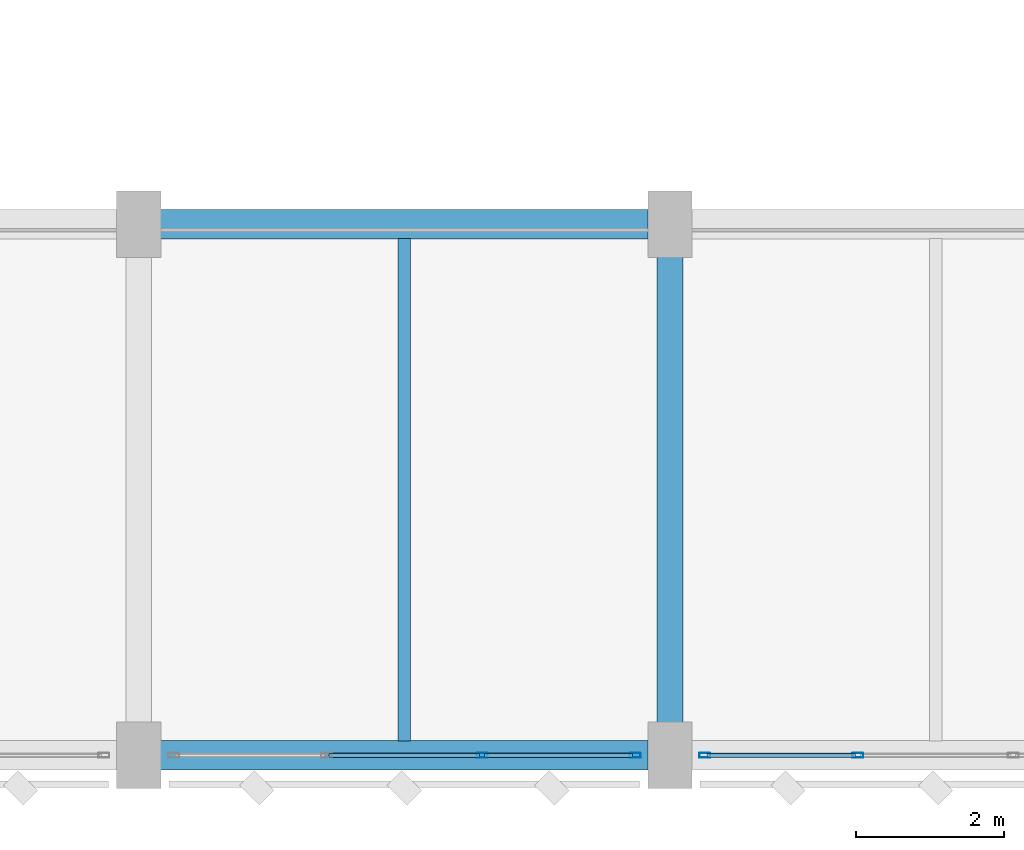
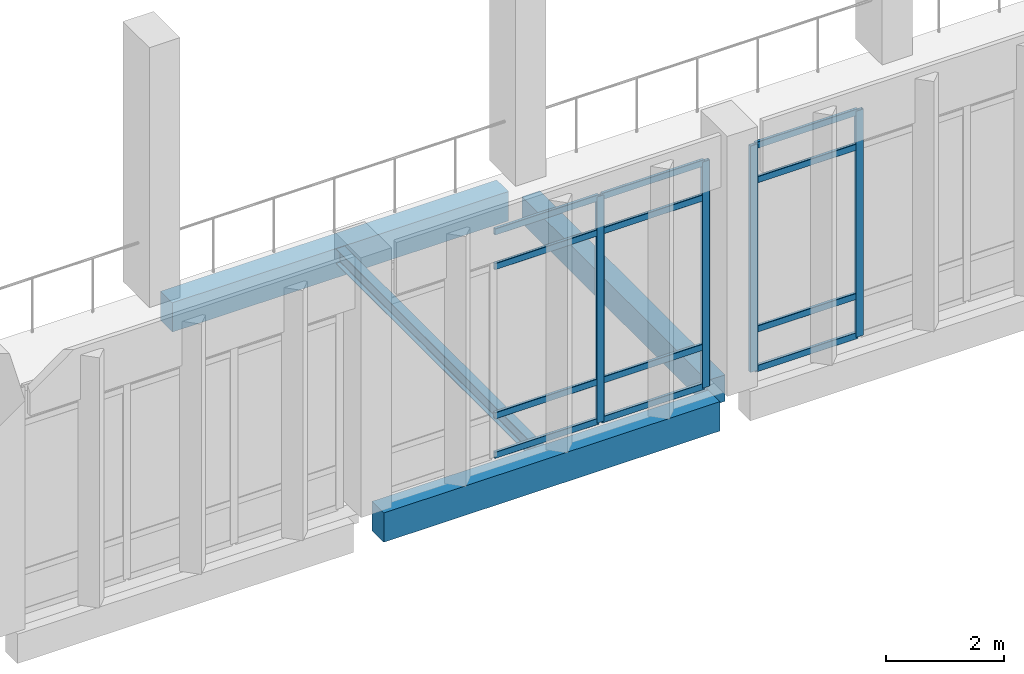
# One storey, part 98 of 180: 16 members, 4 beams, 2 elements without a shape of their own.
"""IFC4 building model written with IfcOpenShell, lengths in metres."""

from ifc_helpers import new_model, si_unit, direction, frame, origin, origin_2d, place, context, subcontext, project, spatial, rectangle, hollow_rectangle, i_section, extrude, material, material_profile, profile_set, type_object, element, aggregate, save


model = new_model("IFC4")

# Units and contexts
model_context = context("Model", 3, precision=1e-05, world=origin(), true_north=direction((0.0, 1.0)))
body_context = subcontext(model_context, "Body", "Model", "MODEL_VIEW")
ifc_project = project(units=[si_unit("LENGTHUNIT", "METRE"), si_unit("AREAUNIT", "SQUARE_METRE"), si_unit("VOLUMEUNIT", "CUBIC_METRE"), si_unit("PLANEANGLEUNIT", "RADIAN"), si_unit("MASSUNIT", "GRAM", prefix="KILO")], contexts=[model_context])

# Site, building, storey
site_placement = place(None, origin())
site = spatial("IfcSite", under=ifc_project, at=site_placement, CompositionType="ELEMENT")
building_placement = place(site_placement, origin())
building = spatial("IfcBuilding", under=site, at=building_placement, Name="Lusvemor Sports Hall", CompositionType="ELEMENT")
storey_placement = place(building_placement, frame((0.0, 0.0, 5.39990234375)))
storey = spatial("IfcBuildingStorey", under=building, at=storey_placement, Name="L01", CompositionType="ELEMENT", Elevation=5.39990234375)

# Beam
ifc_material_1 = material(Name="Concrete C40/50", Category="concrete")
ifc_material_profile_1 = material_profile(ifc_material_1, rectangle(XDim=0.35009765625, YDim=0.550048828125, at=origin_2d()), Name="RC350x550")
ifc_profile_set_1 = profile_set([ifc_material_profile_1], Name="Concrete C40/50")
beam_type_1 = type_object("IfcBeamType", Name="BEAM_RC_550", PredefinedType="BEAM", material=ifc_profile_set_1)
beam_1_placement = place(storey_placement, frame((147.60009765625, 0.446044921875, -0.534912109375), z_axis=(0.0, 1.0, 0.0), x_axis=(-1.0, 0.0, 0.0)))
element("IfcBeam", 1, at=beam_1_placement, inside=storey, type_object=beam_type_1, Name="Beam L01 17:A-B", PredefinedType="BEAM", context=body_context, shape_type="SweptSolid", body=[
    extrude(rectangle(XDim=0.35009765625, YDim=0.550048828125, at=origin_2d()), origin(), (0.0, 0.0, 1.0), 6.307861328125),
])

# Curtain wall, members
ifc_material_2 = material(Name="Thermally broken bronze-anodized aluminium", Category="aluminium")
curtain_wall_type = type_object("IfcCurtainWallType", Name="CW_COURT_C", PredefinedType="NOTDEFINED", material=ifc_material_2)
curtain_wall_1_placement = place(storey_placement, origin())
curtain_wall_1 = element("IfcCurtainWall", 2, at=curtain_wall_1_placement, inside=storey, type_object=curtain_wall_type, Name="Curtain Wall CW-V2S-L01-3", PredefinedType="NOTDEFINED")
ifc_material_3 = material(Name="Thermally broken bronze-anodized aluminium", Category="aluminium")
ifc_material_profile_2 = material_profile(ifc_material_3, hollow_rectangle(XDim=0.06494140625, YDim=0.14990234375, WallThickness=0.00390625, InnerFilletRadius=0.00390625, OuterFilletRadius=0.008056640625, at=origin_2d()), Name="CWMUL150x65x4")
ifc_profile_set_2 = profile_set([ifc_material_profile_2], Name="Thermally broken bronze-anodized aluminium")
member_type_1 = type_object("IfcMemberType", Name="CW_MUL_B", PredefinedType="MULLION", material=ifc_profile_set_2)
member_1_placement = place(storey_placement, frame((147.12744140625, 0.0, 0.0), z_axis=(0.0, 0.0, 1.0), x_axis=(0.0, -1.0, 0.0)))
member_1 = element("IfcMember", 3, at=member_1_placement, type_object=member_type_1, Name="CW03 mullion 1", PredefinedType="MULLION", context=body_context, shape_type="SweptSolid", body=[
    extrude(hollow_rectangle(XDim=0.06494140625, YDim=0.14990234375, WallThickness=0.00390625, InnerFilletRadius=0.00390625, OuterFilletRadius=0.008056640625, at=origin_2d()), origin(), (0.0, 0.0, 1.0), 4.7001953125),
])
member_2_placement = place(storey_placement, frame((145.05322265625, 0.0, 0.0), z_axis=(0.0, 0.0, 1.0), x_axis=(0.0, -1.0, 0.0)))
member_2 = element("IfcMember", 4, at=member_2_placement, type_object=member_type_1, Name="CW03 mullion 2", PredefinedType="MULLION", context=body_context, shape_type="SweptSolid", body=[
    extrude(hollow_rectangle(XDim=0.06494140625, YDim=0.14990234375, WallThickness=0.00390625, InnerFilletRadius=0.00390625, OuterFilletRadius=0.008056640625, at=origin_2d()), origin(), (0.0, 0.0, 1.0), 4.7001953125),
])

curtain_wall_2_placement = place(storey_placement, origin())
curtain_wall_2 = element("IfcCurtainWall", 5, at=curtain_wall_2_placement, inside=storey, type_object=curtain_wall_type, Name="Curtain Wall CW-V2S-L01-4", PredefinedType="NOTDEFINED")
member_3_placement = place(storey_placement, frame((150.146728515625, 0.0, 0.0), z_axis=(0.0, 0.0, 1.0), x_axis=(0.0, -1.0, 0.0)))
member_3 = element("IfcMember", 6, at=member_3_placement, type_object=member_type_1, Name="CW03 mullion 3", PredefinedType="MULLION", context=body_context, shape_type="SweptSolid", body=[
    extrude(hollow_rectangle(XDim=0.06494140625, YDim=0.14990234375, WallThickness=0.00390625, InnerFilletRadius=0.00390625, OuterFilletRadius=0.008056640625, at=origin_2d()), origin(), (0.0, 0.0, 1.0), 4.7001953125),
])
member_4_placement = place(storey_placement, frame((148.072509765625, 0.0, 0.0), z_axis=(0.0, 0.0, 1.0), x_axis=(0.0, -1.0, 0.0)))
member_4 = element("IfcMember", 7, at=member_4_placement, type_object=member_type_1, Name="CW03 mullion 4", PredefinedType="MULLION", context=body_context, shape_type="SweptSolid", body=[
    extrude(hollow_rectangle(XDim=0.06494140625, YDim=0.14990234375, WallThickness=0.00390625, InnerFilletRadius=0.00390625, OuterFilletRadius=0.008056640625, at=origin_2d()), origin(), (0.0, 0.0, 1.0), 4.7001953125),
])

# Member
ifc_material_4 = material(Name="Thermally broken bronze-anodized aluminium", Category="aluminium")
ifc_material_profile_3 = material_profile(ifc_material_4, hollow_rectangle(XDim=0.06005859375, YDim=0.135009765625, WallThickness=0.00390625, InnerFilletRadius=0.00390625, OuterFilletRadius=0.008056640625, at=origin_2d()), Name="CWTRN135x60x4")
ifc_profile_set_3 = profile_set([ifc_material_profile_3], Name="Thermally broken bronze-anodized aluminium")
member_type_2 = type_object("IfcMemberType", Name="CW_TRN_B", PredefinedType="USERDEFINED", material=ifc_profile_set_3)
member_5_placement = place(storey_placement, frame((147.094970703125, 0.0, 0.030029296875), z_axis=(-1.0, 0.0, 0.0), x_axis=(0.0, -1.0, 0.0)))
member_5 = element("IfcMember", 8, at=member_5_placement, type_object=member_type_2, Name="CW03 transom 1.1", ObjectType="TRANSOM", PredefinedType="USERDEFINED", context=body_context, shape_type="SweptSolid", body=[
    extrude(hollow_rectangle(XDim=0.06005859375, YDim=0.135009765625, WallThickness=0.00390625, InnerFilletRadius=0.00390625, OuterFilletRadius=0.008056640625, at=origin_2d()), origin(), (0.0, 0.0, 1.0), 2.009033203125),
])

member_6_placement = place(storey_placement, frame((147.094970703125, 0.0, 0.85009765625), z_axis=(-1.0, 0.0, 0.0), x_axis=(0.0, -1.0, 0.0)))
member_6 = element("IfcMember", 9, at=member_6_placement, type_object=member_type_2, Name="CW03 transom 1.2", ObjectType="TRANSOM", PredefinedType="USERDEFINED", context=body_context, shape_type="SweptSolid", body=[
    extrude(hollow_rectangle(XDim=0.06005859375, YDim=0.135009765625, WallThickness=0.00390625, InnerFilletRadius=0.00390625, OuterFilletRadius=0.008056640625, at=origin_2d()), origin(), (0.0, 0.0, 1.0), 2.009033203125),
])

member_7_placement = place(storey_placement, frame((147.094970703125, 0.0, 3.9501953125), z_axis=(-1.0, 0.0, 0.0), x_axis=(0.0, -1.0, 0.0)))
member_7 = element("IfcMember", 10, at=member_7_placement, type_object=member_type_2, Name="CW03 transom 1.3", ObjectType="TRANSOM", PredefinedType="USERDEFINED", context=body_context, shape_type="SweptSolid", body=[
    extrude(hollow_rectangle(XDim=0.06005859375, YDim=0.135009765625, WallThickness=0.00390625, InnerFilletRadius=0.00390625, OuterFilletRadius=0.008056640625, at=origin_2d()), origin(), (0.0, 0.0, 1.0), 2.009033203125),
])

member_8_placement = place(storey_placement, frame((147.094970703125, 0.0, 4.670166015625), z_axis=(-1.0, 0.0, 0.0), x_axis=(0.0, -1.0, 0.0)))
member_8 = element("IfcMember", 11, at=member_8_placement, type_object=member_type_2, Name="CW03 transom 1.4", ObjectType="TRANSOM", PredefinedType="USERDEFINED", context=body_context, shape_type="SweptSolid", body=[
    extrude(hollow_rectangle(XDim=0.06005859375, YDim=0.135009765625, WallThickness=0.00390625, InnerFilletRadius=0.00390625, OuterFilletRadius=0.008056640625, at=origin_2d()), origin(), (0.0, 0.0, 1.0), 2.009033203125),
])

member_9_placement = place(storey_placement, frame((145.020751953125, 0.0, 0.030029296875), z_axis=(-1.0, 0.0, 0.0), x_axis=(0.0, -1.0, 0.0)))
member_9 = element("IfcMember", 12, at=member_9_placement, type_object=member_type_2, Name="CW03 transom 2.1", ObjectType="TRANSOM", PredefinedType="USERDEFINED", context=body_context, shape_type="SweptSolid", body=[
    extrude(hollow_rectangle(XDim=0.06005859375, YDim=0.135009765625, WallThickness=0.00390625, InnerFilletRadius=0.00390625, OuterFilletRadius=0.008056640625, at=origin_2d()), origin(), (0.0, 0.0, 1.0), 2.04150390625),
])

member_10_placement = place(storey_placement, frame((145.020751953125, 0.0, 0.85009765625), z_axis=(-1.0, 0.0, 0.0), x_axis=(0.0, -1.0, 0.0)))
member_10 = element("IfcMember", 13, at=member_10_placement, type_object=member_type_2, Name="CW03 transom 2.2", ObjectType="TRANSOM", PredefinedType="USERDEFINED", context=body_context, shape_type="SweptSolid", body=[
    extrude(hollow_rectangle(XDim=0.06005859375, YDim=0.135009765625, WallThickness=0.00390625, InnerFilletRadius=0.00390625, OuterFilletRadius=0.008056640625, at=origin_2d()), origin(), (0.0, 0.0, 1.0), 2.04150390625),
])

member_11_placement = place(storey_placement, frame((145.020751953125, 0.0, 3.9501953125), z_axis=(-1.0, 0.0, 0.0), x_axis=(0.0, -1.0, 0.0)))
member_11 = element("IfcMember", 14, at=member_11_placement, type_object=member_type_2, Name="CW03 transom 2.3", ObjectType="TRANSOM", PredefinedType="USERDEFINED", context=body_context, shape_type="SweptSolid", body=[
    extrude(hollow_rectangle(XDim=0.06005859375, YDim=0.135009765625, WallThickness=0.00390625, InnerFilletRadius=0.00390625, OuterFilletRadius=0.008056640625, at=origin_2d()), origin(), (0.0, 0.0, 1.0), 2.04150390625),
])

member_12_placement = place(storey_placement, frame((145.020751953125, 0.0, 4.670166015625), z_axis=(-1.0, 0.0, 0.0), x_axis=(0.0, -1.0, 0.0)))
member_12 = element("IfcMember", 15, at=member_12_placement, type_object=member_type_2, Name="CW03 transom 2.4", ObjectType="TRANSOM", PredefinedType="USERDEFINED", context=body_context, shape_type="SweptSolid", body=[
    extrude(hollow_rectangle(XDim=0.06005859375, YDim=0.135009765625, WallThickness=0.00390625, InnerFilletRadius=0.00390625, OuterFilletRadius=0.008056640625, at=origin_2d()), origin(), (0.0, 0.0, 1.0), 2.04150390625),
])

aggregate(curtain_wall_1, [member_1, member_2, member_5, member_6, member_7, member_8, member_9, member_10, member_11, member_12])

member_13_placement = place(storey_placement, frame((150.1142578125, 0.0, 0.030029296875), z_axis=(-1.0, 0.0, 0.0), x_axis=(0.0, -1.0, 0.0)))
member_13 = element("IfcMember", 16, at=member_13_placement, type_object=member_type_2, Name="CW03 transom 3.1", ObjectType="TRANSOM", PredefinedType="USERDEFINED", context=body_context, shape_type="SweptSolid", body=[
    extrude(hollow_rectangle(XDim=0.06005859375, YDim=0.135009765625, WallThickness=0.00390625, InnerFilletRadius=0.00390625, OuterFilletRadius=0.008056640625, at=origin_2d()), origin(), (0.0, 0.0, 1.0), 2.00927734375),
])

member_14_placement = place(storey_placement, frame((150.1142578125, 0.0, 0.85009765625), z_axis=(-1.0, 0.0, 0.0), x_axis=(0.0, -1.0, 0.0)))
member_14 = element("IfcMember", 17, at=member_14_placement, type_object=member_type_2, Name="CW03 transom 3.2", ObjectType="TRANSOM", PredefinedType="USERDEFINED", context=body_context, shape_type="SweptSolid", body=[
    extrude(hollow_rectangle(XDim=0.06005859375, YDim=0.135009765625, WallThickness=0.00390625, InnerFilletRadius=0.00390625, OuterFilletRadius=0.008056640625, at=origin_2d()), origin(), (0.0, 0.0, 1.0), 2.00927734375),
])

member_15_placement = place(storey_placement, frame((150.1142578125, 0.0, 3.9501953125), z_axis=(-1.0, 0.0, 0.0), x_axis=(0.0, -1.0, 0.0)))
member_15 = element("IfcMember", 18, at=member_15_placement, type_object=member_type_2, Name="CW03 transom 3.3", ObjectType="TRANSOM", PredefinedType="USERDEFINED", context=body_context, shape_type="SweptSolid", body=[
    extrude(hollow_rectangle(XDim=0.06005859375, YDim=0.135009765625, WallThickness=0.00390625, InnerFilletRadius=0.00390625, OuterFilletRadius=0.008056640625, at=origin_2d()), origin(), (0.0, 0.0, 1.0), 2.00927734375),
])

member_16_placement = place(storey_placement, frame((150.1142578125, 0.0, 4.670166015625), z_axis=(-1.0, 0.0, 0.0), x_axis=(0.0, -1.0, 0.0)))
member_16 = element("IfcMember", 19, at=member_16_placement, type_object=member_type_2, Name="CW03 transom 3.4", ObjectType="TRANSOM", PredefinedType="USERDEFINED", context=body_context, shape_type="SweptSolid", body=[
    extrude(hollow_rectangle(XDim=0.06005859375, YDim=0.135009765625, WallThickness=0.00390625, InnerFilletRadius=0.00390625, OuterFilletRadius=0.008056640625, at=origin_2d()), origin(), (0.0, 0.0, 1.0), 2.00927734375),
])

aggregate(curtain_wall_2, [member_3, member_4, member_13, member_14, member_15, member_16])

# Beams
ifc_material_5 = material(Name="Steel S355", Category="steel")
ifc_material_profile_4 = material_profile(ifc_material_5, i_section(OverallWidth=0.1669921875, OverallDepth=0.31689453125, WebThickness=0.007568359375, FlangeThickness=0.01318359375, FilletRadius=0.014892578125, at=origin_2d()), Name="W310x52.0")
ifc_profile_set_4 = profile_set([ifc_material_profile_4], Name="Steel S355")
beam_type_2 = type_object("IfcBeamType", Name="JOIST_ST_310M", PredefinedType="JOIST", material=ifc_profile_set_4)
beam_2_placement = place(storey_placement, frame((144.0, 0.196044921875, -0.42236328125), z_axis=(0.0, 1.0, 0.0), x_axis=(-1.0, 0.0, 0.0)))
element("IfcBeam", 20, at=beam_2_placement, inside=storey, type_object=beam_type_2, Name="Secondary Joist L01 16-17/A-B #1", PredefinedType="JOIST", context=body_context, shape_type="SweptSolid", body=[
    extrude(i_section(OverallWidth=0.1669921875, OverallDepth=0.31689453125, WebThickness=0.007568359375, FlangeThickness=0.01318359375, FilletRadius=0.014892578125, at=origin_2d()), origin(), (0.0, 0.0, 1.0), 6.807861328125),
])
ifc_material_6 = material(Name="Concrete C40/50", Category="concrete")
ifc_material_profile_5 = material_profile(ifc_material_6, rectangle(XDim=0.39990234375, YDim=0.610107421875, at=origin_2d()), Name="RC400x610")
ifc_profile_set_5 = profile_set([ifc_material_profile_5], Name="Concrete C40/50")
beam_type_3 = type_object("IfcBeamType", Name="SPAND_EXT_650", PredefinedType="SPANDREL", material=ifc_profile_set_5)
for number, where, z_axis, x_axis, name in (
    (21, (140.696044921875, 0.0, -0.56494140625), (1.0, 0.0, 0.0), (0.0, 1.0, 0.0), "Beam L01 A:16-17"),
    (22, (140.696044921875, 7.199951171875, -0.56494140625), (1.0, 0.0, 0.0), (0.0, 1.0, 0.0), "Beam L01 B:16-17"),
):
    element("IfcBeam", number, at=place(storey_placement, frame(where, z_axis=z_axis, x_axis=x_axis)), inside=storey, type_object=beam_type_3, Name=name, PredefinedType="SPANDREL", context=body_context, shape_type="SweptSolid", body=[
        extrude(rectangle(XDim=0.39990234375, YDim=0.610107421875, at=origin_2d()), origin(), (0.0, 0.0, 1.0), 6.60791015625),
    ])

save(model, "model.ifc")
